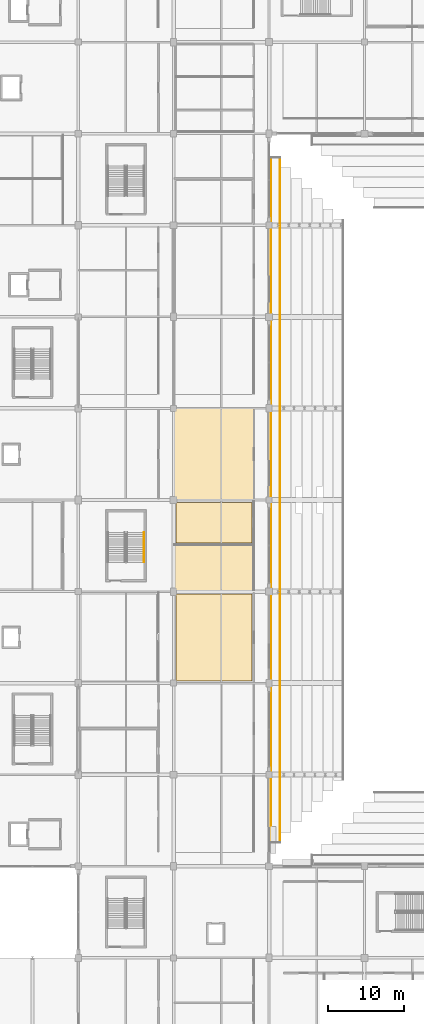
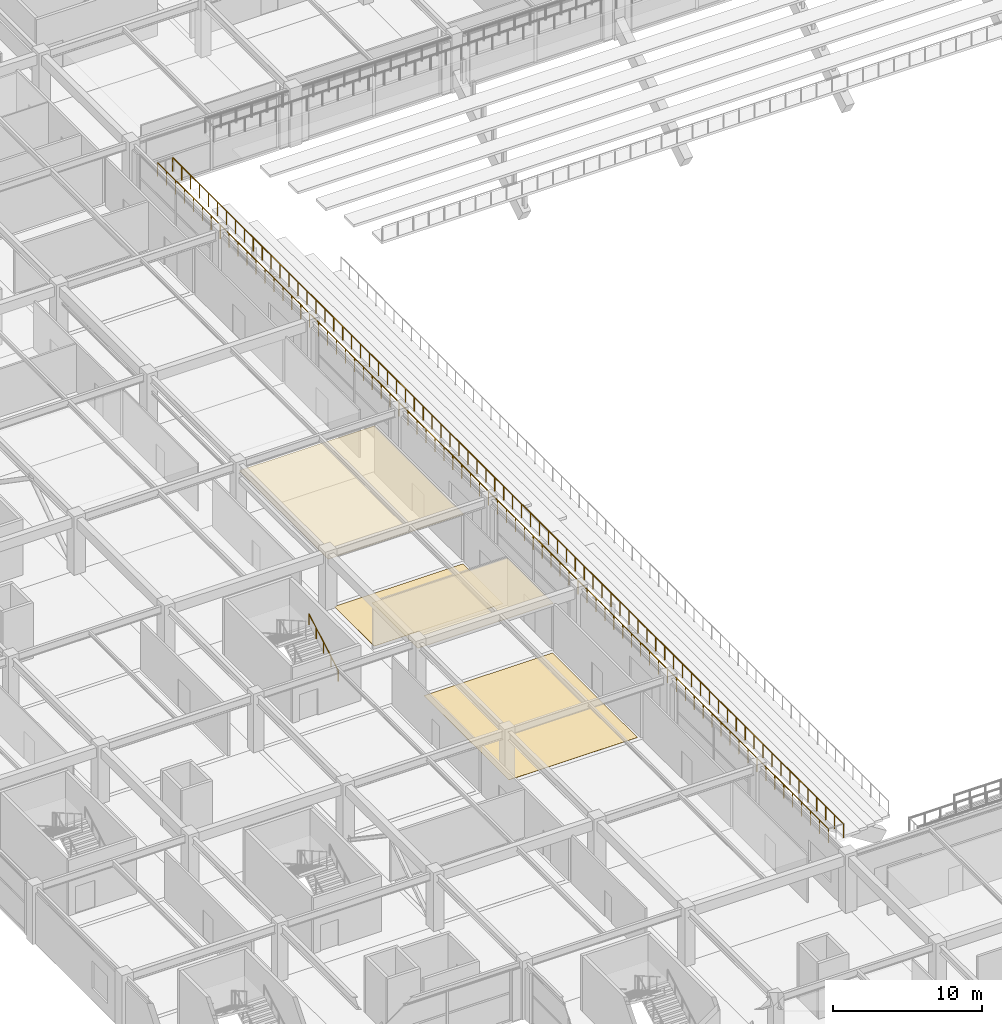
# One storey, part 107 of 134: 4 coverings, 3 railings.
"""IFC4 building model written with IfcOpenShell, lengths in metres."""

from ifc_helpers import new_model, si_unit, direction, frame, origin, origin_2d, place, context, subcontext, project, spatial, polyline, circle, outline, extrude, material, layer, layer_set, type_object, element, save


model = new_model("IFC4")

# Units and contexts
model_context = context("Model", 3, precision=1e-05, world=origin(), true_north=direction((0.0, 1.0)))
body_context = subcontext(model_context, "Body", "Model", "MODEL_VIEW")
ifc_project = project(units=[si_unit("LENGTHUNIT", "METRE"), si_unit("AREAUNIT", "SQUARE_METRE"), si_unit("VOLUMEUNIT", "CUBIC_METRE"), si_unit("PLANEANGLEUNIT", "RADIAN"), si_unit("MASSUNIT", "GRAM", prefix="KILO")], contexts=[model_context])

# Site, building, storey
site_placement = place(None, origin())
site = spatial("IfcSite", under=ifc_project, at=site_placement, CompositionType="ELEMENT")
building_placement = place(site_placement, origin())
building = spatial("IfcBuilding", under=site, at=building_placement, Name="Kazenohara Klinker Stadium", CompositionType="ELEMENT")
storey_placement = place(building_placement, frame((0.0, 0.0, 5.39990234375)))
storey = spatial("IfcBuildingStorey", under=building, at=storey_placement, Name="L01", CompositionType="ELEMENT", Elevation=5.39990234375)

# Coverings
ifc_material_1 = material(Name="Perforated acoustic mineral-fibre ceiling tile", Category="gypsum")
ifc_layer_1 = layer(ifc_material_1, 0.030029296875)
ifc_layer_set_1 = layer_set([ifc_layer_1], Name="Perforated acoustic mineral-fibre ceiling tile")
covering_type_1 = type_object("IfcCoveringType", Name="COV-CEIL-01", PredefinedType="CEILING", material=ifc_layer_set_1)
covering_1_placement = place(storey_placement, frame((0.0, 0.0, 3.75)))
element("IfcCovering", 1, at=covering_1_placement, inside=storey, type_object=covering_type_1, Name="Suspended acoustic ceiling CL01 Family Sensory Hospitality Lounge L01-0307A", PredefinedType="CEILING", context=body_context, shape_type="SweptSolid", body=[
    extrude(outline(polyline([(36.56005859375, 84.0400390625), (47.0400390625, 84.0400390625), (47.0400390625, 95.9599609375), (36.56005859375, 95.9599609375), (36.56005859375, 84.0400390625)])), origin(), (0.0, 0.0, 1.0), 0.030029296875),
])
ifc_material_2 = material(Name="Slatted Hokkaido cedar acoustic baffle ceiling", Category="wood")
ifc_layer_2 = layer(ifc_material_2, 0.0400390625)
ifc_layer_set_2 = layer_set([ifc_layer_2], Name="Slatted Hokkaido cedar acoustic baffle ceiling")
covering_type_2 = type_object("IfcCoveringType", Name="COV-CEIL-02", PredefinedType="CEILING", material=ifc_layer_set_2)
covering_2_placement = place(storey_placement, frame((0.0, 0.0, 3.739990234375)))
element("IfcCovering", 2, at=covering_2_placement, inside=storey, type_object=covering_type_2, Name="Suspended acoustic ceiling CL02 Community Martial Arts Fitness Studio L01-0306A", PredefinedType="CEILING", context=body_context, shape_type="SweptSolid", body=[
    extrude(outline(polyline([(36.56005859375, 72.0400390625), (47.0400390625, 72.0400390625), (47.0400390625, 78.15673828125), (36.56005859375, 78.15673828125), (36.56005859375, 72.0400390625)])), origin(), (0.0, 0.0, 1.0), 0.0400390625),
])
ifc_material_3 = material(Name="Slip-resistant honed basalt terrazzo flooring", Category="masonry")
ifc_layer_3 = layer(ifc_material_3, 0.02001953125)
ifc_layer_set_3 = layer_set([ifc_layer_3], Name="Slip-resistant honed basalt terrazzo flooring")
covering_type_3 = type_object("IfcCoveringType", Name="COV-FLR-01", PredefinedType="FLOORING", material=ifc_layer_set_3)
covering_3_placement = place(storey_placement, origin())
element("IfcCovering", 3, at=covering_3_placement, inside=storey, type_object=covering_type_3, Name="Interior floor finish FL01 Spectator First-Aid Medical Clinic L01-0306B", PredefinedType="FLOORING", context=body_context, shape_type="SweptSolid", body=[
    extrude(outline(polyline([(36.830078125, 78.3466796875), (46.77001953125, 78.3466796875), (46.77001953125, 83.68994140625), (36.830078125, 83.68994140625), (36.830078125, 78.3466796875)])), origin(), (0.0, 0.0, 1.0), 0.02001953125),
])
ifc_material_4 = material(Name="Cushioned EPDM sports rubber flooring", Category="rubber")
ifc_layer_4 = layer(ifc_material_4, 0.014892578125)
ifc_layer_set_4 = layer_set([ifc_layer_4], Name="Cushioned EPDM sports rubber flooring")
covering_type_4 = type_object("IfcCoveringType", Name="COV-FLR-02", PredefinedType="FLOORING", material=ifc_layer_set_4)
covering_4_placement = place(storey_placement, origin())
element("IfcCovering", 4, at=covering_4_placement, inside=storey, type_object=covering_type_4, Name="Interior floor finish FL02 Youth Sports Coaching Classroom L01-0305A", PredefinedType="FLOORING", context=body_context, shape_type="SweptSolid", body=[
    extrude(outline(polyline([(36.830078125, 60.31005859375), (46.77001953125, 60.31005859375), (46.77001953125, 71.68994140625), (36.830078125, 71.68994140625), (36.830078125, 60.31005859375)])), origin(), (0.0, 0.0, 1.0), 0.01513671875),
])

# Railings
ifc_material_5 = material(Name="Galvanised powder-coated steel guardrail", Category="steel")
ifc_layer_5 = layer(ifc_material_5, 0.070068359375)
ifc_layer_set_5 = layer_set([ifc_layer_5], Name="Galvanised powder-coated steel guardrail")
railing_type_1 = type_object("IfcRailingType", Name="RL-GRD-1150", PredefinedType="GUARDRAIL", material=ifc_layer_set_5)
railing_1_placement = place(storey_placement, frame((49.280029296875, 39.09130859375, 3.400146484375)))
element("IfcRailing", 5, at=railing_1_placement, inside=storey, type_object=railing_type_1, Name="Spectator stand sightline guardrail TIER-LOWER-W-01-W", PredefinedType="GUARDRAIL", context=body_context, shape_type="SweptSolid", body=[
    extrude(circle(Radius=0.02392578125, at=origin_2d()), frame((0.0, 0.0, 1.1259765625), z_axis=(0.0, 1.0, 0.0), x_axis=(-1.0, 0.0, 0.0)), (0.0, 0.0, 1.0), 89.8173828125),
    extrude(circle(Radius=0.02099609375, at=origin_2d()), origin(), (0.0, 0.0, 1.0), 1.101806640625),
    extrude(circle(Radius=0.02099609375, at=origin_2d()), frame((0.0, 1.197509765625, 0.0)), (0.0, 0.0, 1.0), 1.101806640625),
    extrude(circle(Radius=0.02099609375, at=origin_2d()), frame((0.0, 2.39501953125, 0.0)), (0.0, 0.0, 1.0), 1.101806640625),
    extrude(circle(Radius=0.02099609375, at=origin_2d()), frame((0.0, 3.5927734375, 0.0)), (0.0, 0.0, 1.0), 1.101806640625),
    extrude(circle(Radius=0.02099609375, at=origin_2d()), frame((0.0, 4.790283203125, 0.0)), (0.0, 0.0, 1.0), 1.101806640625),
    extrude(circle(Radius=0.02099609375, at=origin_2d()), frame((0.0, 5.98779296875, 0.0)), (0.0, 0.0, 1.0), 1.101806640625),
    extrude(circle(Radius=0.02099609375, at=origin_2d()), frame((0.0, 7.185302734375, 0.0)), (0.0, 0.0, 1.0), 1.101806640625),
    extrude(circle(Radius=0.02099609375, at=origin_2d()), frame((0.0, 8.383056640625, 0.0)), (0.0, 0.0, 1.0), 1.101806640625),
    extrude(circle(Radius=0.02099609375, at=origin_2d()), frame((0.0, 9.58056640625, 0.0)), (0.0, 0.0, 1.0), 1.101806640625),
    extrude(circle(Radius=0.02099609375, at=origin_2d()), frame((0.0, 10.778076171875, 0.0)), (0.0, 0.0, 1.0), 1.101806640625),
    extrude(circle(Radius=0.02099609375, at=origin_2d()), frame((0.0, 11.9755859375, 0.0)), (0.0, 0.0, 1.0), 1.101806640625),
    extrude(circle(Radius=0.02099609375, at=origin_2d()), frame((0.0, 13.173095703125, 0.0)), (0.0, 0.0, 1.0), 1.101806640625),
    extrude(circle(Radius=0.02099609375, at=origin_2d()), frame((0.0, 14.370849609375, 0.0)), (0.0, 0.0, 1.0), 1.101806640625),
    extrude(circle(Radius=0.02099609375, at=origin_2d()), frame((0.0, 15.568359375, 0.0)), (0.0, 0.0, 1.0), 1.101806640625),
    extrude(circle(Radius=0.02099609375, at=origin_2d()), frame((0.0, 16.765869140625, 0.0)), (0.0, 0.0, 1.0), 1.101806640625),
    extrude(circle(Radius=0.02099609375, at=origin_2d()), frame((0.0, 17.96337890625, 0.0)), (0.0, 0.0, 1.0), 1.101806640625),
    extrude(circle(Radius=0.02099609375, at=origin_2d()), frame((0.0, 19.1611328125, 0.0)), (0.0, 0.0, 1.0), 1.101806640625),
    extrude(circle(Radius=0.02099609375, at=origin_2d()), frame((0.0, 20.358642578125, 0.0)), (0.0, 0.0, 1.0), 1.101806640625),
    extrude(circle(Radius=0.02099609375, at=origin_2d()), frame((0.0, 21.55615234375, 0.0)), (0.0, 0.0, 1.0), 1.101806640625),
    extrude(circle(Radius=0.02099609375, at=origin_2d()), frame((0.0, 22.753662109375, 0.0)), (0.0, 0.0, 1.0), 1.101806640625),
    extrude(circle(Radius=0.02099609375, at=origin_2d()), frame((0.0, 23.951416015625, 0.0)), (0.0, 0.0, 1.0), 1.101806640625),
    extrude(circle(Radius=0.02099609375, at=origin_2d()), frame((0.0, 25.14892578125, 0.0)), (0.0, 0.0, 1.0), 1.101806640625),
    extrude(circle(Radius=0.02099609375, at=origin_2d()), frame((0.0, 26.346435546875, 0.0)), (0.0, 0.0, 1.0), 1.101806640625),
    extrude(circle(Radius=0.02099609375, at=origin_2d()), frame((0.0, 27.5439453125, 0.0)), (0.0, 0.0, 1.0), 1.101806640625),
    extrude(circle(Radius=0.02099609375, at=origin_2d()), frame((0.0, 28.741455078125, 0.0)), (0.0, 0.0, 1.0), 1.101806640625),
    extrude(circle(Radius=0.02099609375, at=origin_2d()), frame((0.0, 29.939208984375, 0.0)), (0.0, 0.0, 1.0), 1.101806640625),
    extrude(circle(Radius=0.02099609375, at=origin_2d()), frame((0.0, 31.13671875, 0.0)), (0.0, 0.0, 1.0), 1.101806640625),
    extrude(circle(Radius=0.02099609375, at=origin_2d()), frame((0.0, 32.334228515625, 0.0)), (0.0, 0.0, 1.0), 1.101806640625),
    extrude(circle(Radius=0.02099609375, at=origin_2d()), frame((0.0, 33.53173828125, 0.0)), (0.0, 0.0, 1.0), 1.101806640625),
    extrude(circle(Radius=0.02099609375, at=origin_2d()), frame((0.0, 34.7294921875, 0.0)), (0.0, 0.0, 1.0), 1.101806640625),
    extrude(circle(Radius=0.02099609375, at=origin_2d()), frame((0.0, 35.927001953125, 0.0)), (0.0, 0.0, 1.0), 1.101806640625),
    extrude(circle(Radius=0.02099609375, at=origin_2d()), frame((0.0, 37.12451171875, 0.0)), (0.0, 0.0, 1.0), 1.101806640625),
    extrude(circle(Radius=0.02099609375, at=origin_2d()), frame((0.0, 38.322021484375, 0.0)), (0.0, 0.0, 1.0), 1.101806640625),
    extrude(circle(Radius=0.02099609375, at=origin_2d()), frame((0.0, 39.51953125, 0.0)), (0.0, 0.0, 1.0), 1.101806640625),
    extrude(circle(Radius=0.02099609375, at=origin_2d()), frame((0.0, 40.71728515625, 0.0)), (0.0, 0.0, 1.0), 1.101806640625),
    extrude(circle(Radius=0.02099609375, at=origin_2d()), frame((0.0, 41.914794921875, 0.0)), (0.0, 0.0, 1.0), 1.101806640625),
    extrude(circle(Radius=0.02099609375, at=origin_2d()), frame((0.0, 43.1123046875, 0.0)), (0.0, 0.0, 1.0), 1.101806640625),
    extrude(circle(Radius=0.02099609375, at=origin_2d()), frame((0.0, 44.309814453125, 0.0)), (0.0, 0.0, 1.0), 1.101806640625),
    extrude(circle(Radius=0.02099609375, at=origin_2d()), frame((0.0, 45.507568359375, 0.0)), (0.0, 0.0, 1.0), 1.101806640625),
    extrude(circle(Radius=0.02099609375, at=origin_2d()), frame((0.0, 46.705078125, 0.0)), (0.0, 0.0, 1.0), 1.101806640625),
    extrude(circle(Radius=0.02099609375, at=origin_2d()), frame((0.0, 47.902587890625, 0.0)), (0.0, 0.0, 1.0), 1.101806640625),
    extrude(circle(Radius=0.02099609375, at=origin_2d()), frame((0.0, 49.10009765625, 0.0)), (0.0, 0.0, 1.0), 1.101806640625),
    extrude(circle(Radius=0.02099609375, at=origin_2d()), frame((0.0, 50.2978515625, 0.0)), (0.0, 0.0, 1.0), 1.101806640625),
    extrude(circle(Radius=0.02099609375, at=origin_2d()), frame((0.0, 51.495361328125, 0.0)), (0.0, 0.0, 1.0), 1.101806640625),
    extrude(circle(Radius=0.02099609375, at=origin_2d()), frame((0.0, 52.69287109375, 0.0)), (0.0, 0.0, 1.0), 1.101806640625),
    extrude(circle(Radius=0.02099609375, at=origin_2d()), frame((0.0, 53.890380859375, 0.0)), (0.0, 0.0, 1.0), 1.101806640625),
    extrude(circle(Radius=0.02099609375, at=origin_2d()), frame((0.0, 55.087890625, 0.0)), (0.0, 0.0, 1.0), 1.101806640625),
    extrude(circle(Radius=0.02099609375, at=origin_2d()), frame((0.0, 56.28564453125, 0.0)), (0.0, 0.0, 1.0), 1.101806640625),
    extrude(circle(Radius=0.02099609375, at=origin_2d()), frame((0.0, 57.483154296875, 0.0)), (0.0, 0.0, 1.0), 1.101806640625),
    extrude(circle(Radius=0.02099609375, at=origin_2d()), frame((0.0, 58.6806640625, 0.0)), (0.0, 0.0, 1.0), 1.101806640625),
    extrude(circle(Radius=0.02099609375, at=origin_2d()), frame((0.0, 59.878173828125, 0.0)), (0.0, 0.0, 1.0), 1.101806640625),
    extrude(circle(Radius=0.02099609375, at=origin_2d()), frame((0.0, 61.075927734375, 0.0)), (0.0, 0.0, 1.0), 1.101806640625),
    extrude(circle(Radius=0.02099609375, at=origin_2d()), frame((0.0, 62.2734375, 0.0)), (0.0, 0.0, 1.0), 1.101806640625),
    extrude(circle(Radius=0.02099609375, at=origin_2d()), frame((0.0, 63.470947265625, 0.0)), (0.0, 0.0, 1.0), 1.101806640625),
    extrude(circle(Radius=0.02099609375, at=origin_2d()), frame((0.0, 64.66845703125, 0.0)), (0.0, 0.0, 1.0), 1.101806640625),
    extrude(circle(Radius=0.02099609375, at=origin_2d()), frame((0.0, 65.865966796875, 0.0)), (0.0, 0.0, 1.0), 1.101806640625),
    extrude(circle(Radius=0.02099609375, at=origin_2d()), frame((0.0, 67.063720703125, 0.0)), (0.0, 0.0, 1.0), 1.101806640625),
    extrude(circle(Radius=0.02099609375, at=origin_2d()), frame((0.0, 68.26123046875, 0.0)), (0.0, 0.0, 1.0), 1.101806640625),
    extrude(circle(Radius=0.02099609375, at=origin_2d()), frame((0.0, 69.458740234375, 0.0)), (0.0, 0.0, 1.0), 1.101806640625),
    extrude(circle(Radius=0.02099609375, at=origin_2d()), frame((0.0, 70.65625, 0.0)), (0.0, 0.0, 1.0), 1.101806640625),
    extrude(circle(Radius=0.02099609375, at=origin_2d()), frame((0.0, 71.85400390625, 0.0)), (0.0, 0.0, 1.0), 1.101806640625),
    extrude(circle(Radius=0.02099609375, at=origin_2d()), frame((0.0, 73.051513671875, 0.0)), (0.0, 0.0, 1.0), 1.101806640625),
    extrude(circle(Radius=0.02099609375, at=origin_2d()), frame((0.0, 74.2490234375, 0.0)), (0.0, 0.0, 1.0), 1.101806640625),
    extrude(circle(Radius=0.02099609375, at=origin_2d()), frame((0.0, 75.446533203125, 0.0)), (0.0, 0.0, 1.0), 1.101806640625),
    extrude(circle(Radius=0.02099609375, at=origin_2d()), frame((0.0, 76.644287109375, 0.0)), (0.0, 0.0, 1.0), 1.101806640625),
    extrude(circle(Radius=0.02099609375, at=origin_2d()), frame((0.0, 77.841796875, 0.0)), (0.0, 0.0, 1.0), 1.101806640625),
    extrude(circle(Radius=0.02099609375, at=origin_2d()), frame((0.0, 79.039306640625, 0.0)), (0.0, 0.0, 1.0), 1.101806640625),
    extrude(circle(Radius=0.02099609375, at=origin_2d()), frame((0.0, 80.23681640625, 0.0)), (0.0, 0.0, 1.0), 1.101806640625),
    extrude(circle(Radius=0.02099609375, at=origin_2d()), frame((0.0, 81.434326171875, 0.0)), (0.0, 0.0, 1.0), 1.101806640625),
    extrude(circle(Radius=0.02099609375, at=origin_2d()), frame((0.0, 82.632080078125, 0.0)), (0.0, 0.0, 1.0), 1.101806640625),
    extrude(circle(Radius=0.02099609375, at=origin_2d()), frame((0.0, 83.82958984375, 0.0)), (0.0, 0.0, 1.0), 1.101806640625),
    extrude(circle(Radius=0.02099609375, at=origin_2d()), frame((0.0, 85.027099609375, 0.0)), (0.0, 0.0, 1.0), 1.101806640625),
    extrude(circle(Radius=0.02099609375, at=origin_2d()), frame((0.0, 86.224609375, 0.0)), (0.0, 0.0, 1.0), 1.101806640625),
    extrude(circle(Radius=0.02099609375, at=origin_2d()), frame((0.0, 87.42236328125, 0.0)), (0.0, 0.0, 1.0), 1.101806640625),
    extrude(circle(Radius=0.02099609375, at=origin_2d()), frame((0.0, 88.619873046875, 0.0)), (0.0, 0.0, 1.0), 1.101806640625),
    extrude(circle(Radius=0.02099609375, at=origin_2d()), frame((0.0, 89.8173828125, 0.0)), (0.0, 0.0, 1.0), 1.101806640625),
])
railing_2_placement = place(storey_placement, frame((50.451416015625, 39.09130859375, 3.400146484375)))
element("IfcRailing", 6, at=railing_2_placement, inside=storey, type_object=railing_type_1, Name="Spectator stand sightline guardrail TIER-LOWER-W-01-E", PredefinedType="GUARDRAIL", context=body_context, shape_type="SweptSolid", body=[
    extrude(circle(Radius=0.02392578125, at=origin_2d()), frame((0.0, 0.0, 1.1259765625), z_axis=(0.0, 1.0, 0.0), x_axis=(-1.0, 0.0, 0.0)), (0.0, 0.0, 1.0), 89.8173828125),
    extrude(circle(Radius=0.02099609375, at=origin_2d()), origin(), (0.0, 0.0, 1.0), 1.101806640625),
    extrude(circle(Radius=0.02099609375, at=origin_2d()), frame((0.0, 1.197509765625, 0.0)), (0.0, 0.0, 1.0), 1.101806640625),
    extrude(circle(Radius=0.02099609375, at=origin_2d()), frame((0.0, 2.39501953125, 0.0)), (0.0, 0.0, 1.0), 1.101806640625),
    extrude(circle(Radius=0.02099609375, at=origin_2d()), frame((0.0, 3.5927734375, 0.0)), (0.0, 0.0, 1.0), 1.101806640625),
    extrude(circle(Radius=0.02099609375, at=origin_2d()), frame((0.0, 4.790283203125, 0.0)), (0.0, 0.0, 1.0), 1.101806640625),
    extrude(circle(Radius=0.02099609375, at=origin_2d()), frame((0.0, 5.98779296875, 0.0)), (0.0, 0.0, 1.0), 1.101806640625),
    extrude(circle(Radius=0.02099609375, at=origin_2d()), frame((0.0, 7.185302734375, 0.0)), (0.0, 0.0, 1.0), 1.101806640625),
    extrude(circle(Radius=0.02099609375, at=origin_2d()), frame((0.0, 8.383056640625, 0.0)), (0.0, 0.0, 1.0), 1.101806640625),
    extrude(circle(Radius=0.02099609375, at=origin_2d()), frame((0.0, 9.58056640625, 0.0)), (0.0, 0.0, 1.0), 1.101806640625),
    extrude(circle(Radius=0.02099609375, at=origin_2d()), frame((0.0, 10.778076171875, 0.0)), (0.0, 0.0, 1.0), 1.101806640625),
    extrude(circle(Radius=0.02099609375, at=origin_2d()), frame((0.0, 11.9755859375, 0.0)), (0.0, 0.0, 1.0), 1.101806640625),
    extrude(circle(Radius=0.02099609375, at=origin_2d()), frame((0.0, 13.173095703125, 0.0)), (0.0, 0.0, 1.0), 1.101806640625),
    extrude(circle(Radius=0.02099609375, at=origin_2d()), frame((0.0, 14.370849609375, 0.0)), (0.0, 0.0, 1.0), 1.101806640625),
    extrude(circle(Radius=0.02099609375, at=origin_2d()), frame((0.0, 15.568359375, 0.0)), (0.0, 0.0, 1.0), 1.101806640625),
    extrude(circle(Radius=0.02099609375, at=origin_2d()), frame((0.0, 16.765869140625, 0.0)), (0.0, 0.0, 1.0), 1.101806640625),
    extrude(circle(Radius=0.02099609375, at=origin_2d()), frame((0.0, 17.96337890625, 0.0)), (0.0, 0.0, 1.0), 1.101806640625),
    extrude(circle(Radius=0.02099609375, at=origin_2d()), frame((0.0, 19.1611328125, 0.0)), (0.0, 0.0, 1.0), 1.101806640625),
    extrude(circle(Radius=0.02099609375, at=origin_2d()), frame((0.0, 20.358642578125, 0.0)), (0.0, 0.0, 1.0), 1.101806640625),
    extrude(circle(Radius=0.02099609375, at=origin_2d()), frame((0.0, 21.55615234375, 0.0)), (0.0, 0.0, 1.0), 1.101806640625),
    extrude(circle(Radius=0.02099609375, at=origin_2d()), frame((0.0, 22.753662109375, 0.0)), (0.0, 0.0, 1.0), 1.101806640625),
    extrude(circle(Radius=0.02099609375, at=origin_2d()), frame((0.0, 23.951416015625, 0.0)), (0.0, 0.0, 1.0), 1.101806640625),
    extrude(circle(Radius=0.02099609375, at=origin_2d()), frame((0.0, 25.14892578125, 0.0)), (0.0, 0.0, 1.0), 1.101806640625),
    extrude(circle(Radius=0.02099609375, at=origin_2d()), frame((0.0, 26.346435546875, 0.0)), (0.0, 0.0, 1.0), 1.101806640625),
    extrude(circle(Radius=0.02099609375, at=origin_2d()), frame((0.0, 27.5439453125, 0.0)), (0.0, 0.0, 1.0), 1.101806640625),
    extrude(circle(Radius=0.02099609375, at=origin_2d()), frame((0.0, 28.741455078125, 0.0)), (0.0, 0.0, 1.0), 1.101806640625),
    extrude(circle(Radius=0.02099609375, at=origin_2d()), frame((0.0, 29.939208984375, 0.0)), (0.0, 0.0, 1.0), 1.101806640625),
    extrude(circle(Radius=0.02099609375, at=origin_2d()), frame((0.0, 31.13671875, 0.0)), (0.0, 0.0, 1.0), 1.101806640625),
    extrude(circle(Radius=0.02099609375, at=origin_2d()), frame((0.0, 32.334228515625, 0.0)), (0.0, 0.0, 1.0), 1.101806640625),
    extrude(circle(Radius=0.02099609375, at=origin_2d()), frame((0.0, 33.53173828125, 0.0)), (0.0, 0.0, 1.0), 1.101806640625),
    extrude(circle(Radius=0.02099609375, at=origin_2d()), frame((0.0, 34.7294921875, 0.0)), (0.0, 0.0, 1.0), 1.101806640625),
    extrude(circle(Radius=0.02099609375, at=origin_2d()), frame((0.0, 35.927001953125, 0.0)), (0.0, 0.0, 1.0), 1.101806640625),
    extrude(circle(Radius=0.02099609375, at=origin_2d()), frame((0.0, 37.12451171875, 0.0)), (0.0, 0.0, 1.0), 1.101806640625),
    extrude(circle(Radius=0.02099609375, at=origin_2d()), frame((0.0, 38.322021484375, 0.0)), (0.0, 0.0, 1.0), 1.101806640625),
    extrude(circle(Radius=0.02099609375, at=origin_2d()), frame((0.0, 39.51953125, 0.0)), (0.0, 0.0, 1.0), 1.101806640625),
    extrude(circle(Radius=0.02099609375, at=origin_2d()), frame((0.0, 40.71728515625, 0.0)), (0.0, 0.0, 1.0), 1.101806640625),
    extrude(circle(Radius=0.02099609375, at=origin_2d()), frame((0.0, 41.914794921875, 0.0)), (0.0, 0.0, 1.0), 1.101806640625),
    extrude(circle(Radius=0.02099609375, at=origin_2d()), frame((0.0, 43.1123046875, 0.0)), (0.0, 0.0, 1.0), 1.101806640625),
    extrude(circle(Radius=0.02099609375, at=origin_2d()), frame((0.0, 44.309814453125, 0.0)), (0.0, 0.0, 1.0), 1.101806640625),
    extrude(circle(Radius=0.02099609375, at=origin_2d()), frame((0.0, 45.507568359375, 0.0)), (0.0, 0.0, 1.0), 1.101806640625),
    extrude(circle(Radius=0.02099609375, at=origin_2d()), frame((0.0, 46.705078125, 0.0)), (0.0, 0.0, 1.0), 1.101806640625),
    extrude(circle(Radius=0.02099609375, at=origin_2d()), frame((0.0, 47.902587890625, 0.0)), (0.0, 0.0, 1.0), 1.101806640625),
    extrude(circle(Radius=0.02099609375, at=origin_2d()), frame((0.0, 49.10009765625, 0.0)), (0.0, 0.0, 1.0), 1.101806640625),
    extrude(circle(Radius=0.02099609375, at=origin_2d()), frame((0.0, 50.2978515625, 0.0)), (0.0, 0.0, 1.0), 1.101806640625),
    extrude(circle(Radius=0.02099609375, at=origin_2d()), frame((0.0, 51.495361328125, 0.0)), (0.0, 0.0, 1.0), 1.101806640625),
    extrude(circle(Radius=0.02099609375, at=origin_2d()), frame((0.0, 52.69287109375, 0.0)), (0.0, 0.0, 1.0), 1.101806640625),
    extrude(circle(Radius=0.02099609375, at=origin_2d()), frame((0.0, 53.890380859375, 0.0)), (0.0, 0.0, 1.0), 1.101806640625),
    extrude(circle(Radius=0.02099609375, at=origin_2d()), frame((0.0, 55.087890625, 0.0)), (0.0, 0.0, 1.0), 1.101806640625),
    extrude(circle(Radius=0.02099609375, at=origin_2d()), frame((0.0, 56.28564453125, 0.0)), (0.0, 0.0, 1.0), 1.101806640625),
    extrude(circle(Radius=0.02099609375, at=origin_2d()), frame((0.0, 57.483154296875, 0.0)), (0.0, 0.0, 1.0), 1.101806640625),
    extrude(circle(Radius=0.02099609375, at=origin_2d()), frame((0.0, 58.6806640625, 0.0)), (0.0, 0.0, 1.0), 1.101806640625),
    extrude(circle(Radius=0.02099609375, at=origin_2d()), frame((0.0, 59.878173828125, 0.0)), (0.0, 0.0, 1.0), 1.101806640625),
    extrude(circle(Radius=0.02099609375, at=origin_2d()), frame((0.0, 61.075927734375, 0.0)), (0.0, 0.0, 1.0), 1.101806640625),
    extrude(circle(Radius=0.02099609375, at=origin_2d()), frame((0.0, 62.2734375, 0.0)), (0.0, 0.0, 1.0), 1.101806640625),
    extrude(circle(Radius=0.02099609375, at=origin_2d()), frame((0.0, 63.470947265625, 0.0)), (0.0, 0.0, 1.0), 1.101806640625),
    extrude(circle(Radius=0.02099609375, at=origin_2d()), frame((0.0, 64.66845703125, 0.0)), (0.0, 0.0, 1.0), 1.101806640625),
    extrude(circle(Radius=0.02099609375, at=origin_2d()), frame((0.0, 65.865966796875, 0.0)), (0.0, 0.0, 1.0), 1.101806640625),
    extrude(circle(Radius=0.02099609375, at=origin_2d()), frame((0.0, 67.063720703125, 0.0)), (0.0, 0.0, 1.0), 1.101806640625),
    extrude(circle(Radius=0.02099609375, at=origin_2d()), frame((0.0, 68.26123046875, 0.0)), (0.0, 0.0, 1.0), 1.101806640625),
    extrude(circle(Radius=0.02099609375, at=origin_2d()), frame((0.0, 69.458740234375, 0.0)), (0.0, 0.0, 1.0), 1.101806640625),
    extrude(circle(Radius=0.02099609375, at=origin_2d()), frame((0.0, 70.65625, 0.0)), (0.0, 0.0, 1.0), 1.101806640625),
    extrude(circle(Radius=0.02099609375, at=origin_2d()), frame((0.0, 71.85400390625, 0.0)), (0.0, 0.0, 1.0), 1.101806640625),
    extrude(circle(Radius=0.02099609375, at=origin_2d()), frame((0.0, 73.051513671875, 0.0)), (0.0, 0.0, 1.0), 1.101806640625),
    extrude(circle(Radius=0.02099609375, at=origin_2d()), frame((0.0, 74.2490234375, 0.0)), (0.0, 0.0, 1.0), 1.101806640625),
    extrude(circle(Radius=0.02099609375, at=origin_2d()), frame((0.0, 75.446533203125, 0.0)), (0.0, 0.0, 1.0), 1.101806640625),
    extrude(circle(Radius=0.02099609375, at=origin_2d()), frame((0.0, 76.644287109375, 0.0)), (0.0, 0.0, 1.0), 1.101806640625),
    extrude(circle(Radius=0.02099609375, at=origin_2d()), frame((0.0, 77.841796875, 0.0)), (0.0, 0.0, 1.0), 1.101806640625),
    extrude(circle(Radius=0.02099609375, at=origin_2d()), frame((0.0, 79.039306640625, 0.0)), (0.0, 0.0, 1.0), 1.101806640625),
    extrude(circle(Radius=0.02099609375, at=origin_2d()), frame((0.0, 80.23681640625, 0.0)), (0.0, 0.0, 1.0), 1.101806640625),
    extrude(circle(Radius=0.02099609375, at=origin_2d()), frame((0.0, 81.434326171875, 0.0)), (0.0, 0.0, 1.0), 1.101806640625),
    extrude(circle(Radius=0.02099609375, at=origin_2d()), frame((0.0, 82.632080078125, 0.0)), (0.0, 0.0, 1.0), 1.101806640625),
    extrude(circle(Radius=0.02099609375, at=origin_2d()), frame((0.0, 83.82958984375, 0.0)), (0.0, 0.0, 1.0), 1.101806640625),
    extrude(circle(Radius=0.02099609375, at=origin_2d()), frame((0.0, 85.027099609375, 0.0)), (0.0, 0.0, 1.0), 1.101806640625),
    extrude(circle(Radius=0.02099609375, at=origin_2d()), frame((0.0, 86.224609375, 0.0)), (0.0, 0.0, 1.0), 1.101806640625),
    extrude(circle(Radius=0.02099609375, at=origin_2d()), frame((0.0, 87.42236328125, 0.0)), (0.0, 0.0, 1.0), 1.101806640625),
    extrude(circle(Radius=0.02099609375, at=origin_2d()), frame((0.0, 88.619873046875, 0.0)), (0.0, 0.0, 1.0), 1.101806640625),
    extrude(circle(Radius=0.02099609375, at=origin_2d()), frame((0.0, 89.8173828125, 0.0)), (0.0, 0.0, 1.0), 1.101806640625),
])
ifc_material_6 = material(Name="Brushed stainless steel 304 handrail", Category="steel")
ifc_layer_6 = layer(ifc_material_6, 0.050048828125)
ifc_layer_set_6 = layer_set([ifc_layer_6], Name="Brushed stainless steel 304 handrail")
railing_type_2 = type_object("IfcRailingType", Name="RL-HND-900", PredefinedType="HANDRAIL", material=ifc_layer_set_6)
railing_3_placement = place(storey_placement, frame((32.60009765625, 75.840087890625, 0.16015625)))
element("IfcRailing", 7, at=railing_3_placement, inside=storey, type_object=railing_type_2, Name="L01 ST17 stair handrail 1", PredefinedType="HANDRAIL", context=body_context, shape_type="SweptSolid", body=[
    extrude(circle(Radius=0.02392578125, at=origin_2d()), frame((0.0, 0.0, 0.8759765625), z_axis=(0.0, 0.868239814368, 0.496144761885), x_axis=(-1.0, 0.0, 0.0)), (0.0, 0.0, 1.0), 4.514892578125),
    extrude(circle(Radius=0.02099609375, at=origin_2d()), origin(), (0.0, 0.0, 1.0), 0.851806640625),
    extrude(circle(Radius=0.02099609375, at=origin_2d()), frame((0.0, 0.97998046875, 0.56005859375)), (0.0, 0.0, 1.0), 0.851806640625),
    extrude(circle(Radius=0.02099609375, at=origin_2d()), frame((0.0, 1.9599609375, 1.1201171875)), (0.0, 0.0, 1.0), 0.851806640625),
    extrude(circle(Radius=0.02099609375, at=origin_2d()), frame((0.0, 2.93994140625, 1.679931640625)), (0.0, 0.0, 1.0), 0.851806640625),
    extrude(circle(Radius=0.02099609375, at=origin_2d()), frame((0.0, 3.919921875, 2.239990234375)), (0.0, 0.0, 1.0), 0.851806640625),
])

save(model, "model.ifc")
